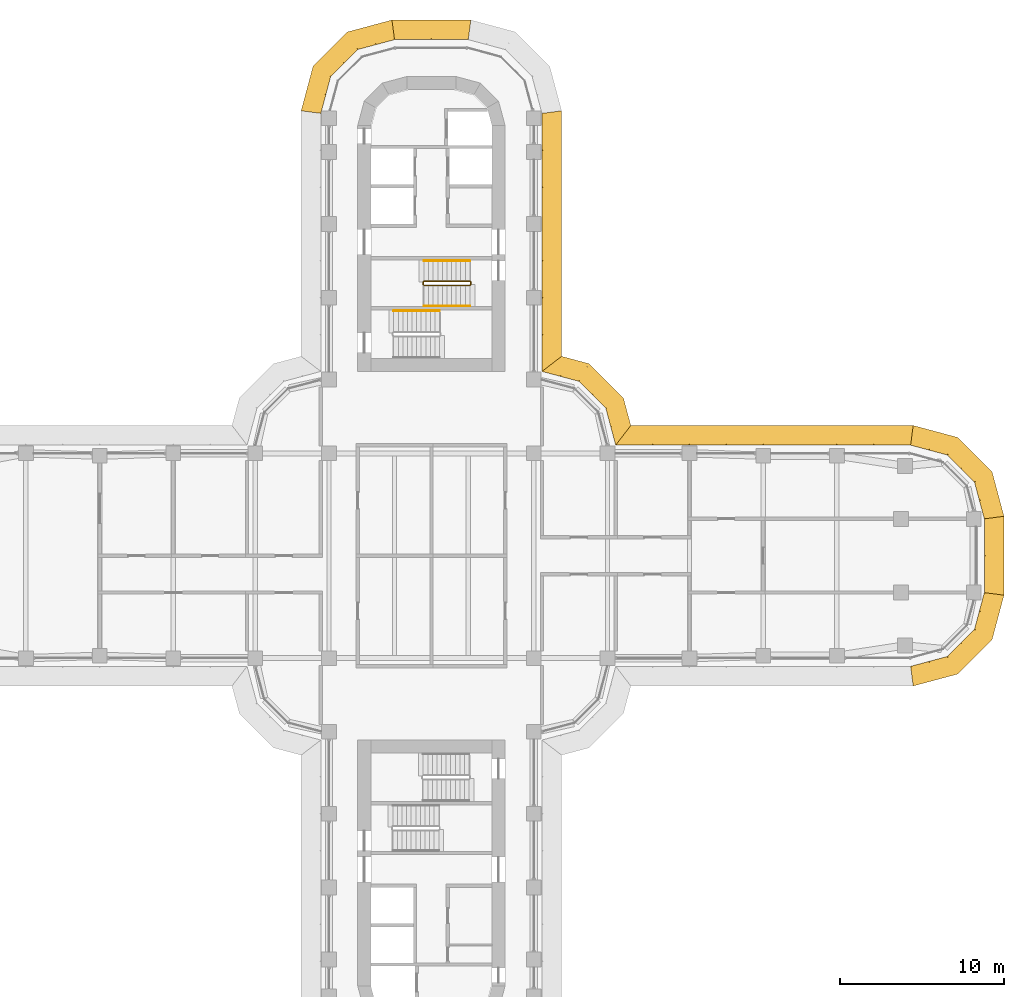
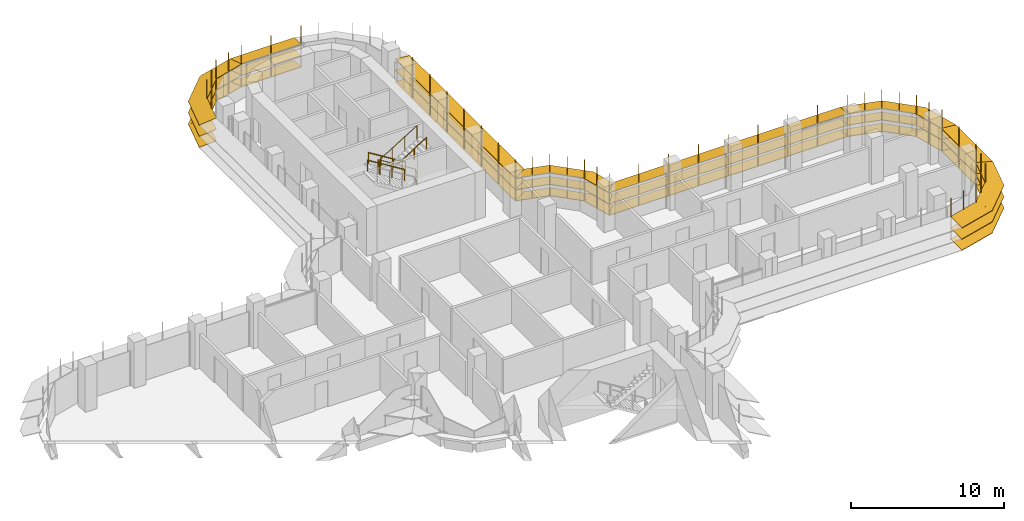
# One storey, part 21 of 22: 8 shading devices, 4 railings.
"""IFC4 building model written with IfcOpenShell, lengths in metres."""

from ifc_helpers import new_model, si_unit, direction, frame, origin, origin_2d, place, context, subcontext, project, spatial, polyline, circle, outline, extrude, faceted_brep, source, transform, mapped, material, type_object, element, save


model = new_model("IFC4")

# Units and contexts
model_context = context("Model", 3, precision=1e-05, world=origin(), true_north=direction((0.0, 1.0)))
body_context = subcontext(model_context, "Body", "Model", "MODEL_VIEW")
ifc_project = project(units=[si_unit("LENGTHUNIT", "METRE"), si_unit("AREAUNIT", "SQUARE_METRE"), si_unit("VOLUMEUNIT", "CUBIC_METRE"), si_unit("PLANEANGLEUNIT", "RADIAN"), si_unit("MASSUNIT", "GRAM", prefix="KILO")], contexts=[model_context])

# Site, building, storey
site_placement = place(None, origin())
site = spatial("IfcSite", under=ifc_project, at=site_placement, CompositionType="ELEMENT")
building_placement = place(site_placement, origin())
building = spatial("IfcBuilding", under=site, at=building_placement, Name="Zarbagh Exchange Tower", CompositionType="ELEMENT")
storey_placement = place(building_placement, frame((0.0, 0.0, 113.199951171875)))
storey = spatial("IfcBuildingStorey", under=building, at=storey_placement, Name="L26", CompositionType="ELEMENT", Elevation=113.199951171875)

# Railings
ifc_material_1 = material(Name="Stainless steel", Category="steel")
railing_type_1 = type_object("IfcRailingType", Name="Stair guard 1100 mm", PredefinedType="GUARDRAIL", material=ifc_material_1)
railing_1_placement = place(storey_placement, frame((-0.449951171875, 16.5, 2.07275390625)))
element("IfcRailing", 1, at=railing_1_placement, inside=storey, type_object=railing_type_1, Name="ST1 stair guard 1", PredefinedType="GUARDRAIL", context=body_context, shape_type="SweptSolid", body=[
    extrude(circle(Radius=0.02392578125, at=origin_2d()), frame((0.0, 0.0, 1.076171875), z_axis=(0.851089632645, 0.0, 0.525020415988), x_axis=(0.0, 1.0, 0.0)), (0.0, 0.0, 1.0), 3.2900390625),
    extrude(circle(Radius=0.02392578125, at=origin_2d()), frame((2.800048828125, 0.0, 2.80322265625), z_axis=(0.013104066473, 0.013168302093, -0.99982742474), x_axis=(-0.708833529934, 0.705375805398, 0.0)), (0.0, 0.0, 1.0), 3.80078125),
    extrude(circle(Radius=0.02392578125, at=origin_2d()), frame((2.849853515625, 0.050048828125, -0.99658203125), z_axis=(0.0, 1.0, 0.0), x_axis=(-1.0, 0.0, 0.0)), (0.0, 0.0, 1.0), 0.14990234375),
    extrude(circle(Radius=0.02392578125, at=origin_2d()), frame((2.849853515625, 0.199951171875, -0.99658203125), z_axis=(-0.266739603011, 0.268047150085, 0.925743328097), x_axis=(-0.708833529934, -0.705375805398, 0.0)), (0.0, 0.0, 1.0), 0.186767578125),
    extrude(circle(Radius=0.02392578125, at=origin_2d()), frame((2.800048828125, 0.25, -0.82373046875), z_axis=(-0.851089632645, 0.0, 0.525020415988), x_axis=(0.0, -1.0, 0.0)), (0.0, 0.0, 1.0), 3.2900390625),
    extrude(circle(Radius=0.02392578125, at=origin_2d()), frame((0.0, 0.25, 0.9033203125), z_axis=(-0.707106781187, -0.707106781187, 0.0), x_axis=(0.707106781187, -0.707106781187, 0.0)), (0.0, 0.0, 1.0), 0.07080078125),
    extrude(circle(Radius=0.02392578125, at=origin_2d()), frame((-0.050048828125, 0.199951171875, 0.9033203125), z_axis=(0.0, -1.0, 0.0), x_axis=(1.0, 0.0, 0.0)), (0.0, 0.0, 1.0), 0.14990234375),
    extrude(circle(Radius=0.02099609375, at=origin_2d()), origin(), (0.0, 0.0, 1.0), 1.052001953125),
    extrude(circle(Radius=0.02099609375, at=origin_2d()), frame((0.933349609375, 0.0, 0.57568359375)), (0.0, 0.0, 1.0), 1.052001953125),
    extrude(circle(Radius=0.02099609375, at=origin_2d()), frame((1.86669921875, 0.0, 1.151611328125)), (0.0, 0.0, 1.0), 1.052001953125),
    extrude(circle(Radius=0.02099609375, at=origin_2d()), frame((2.800048828125, 0.0, 1.727294921875)), (0.0, 0.0, 1.0), 1.052001953125),
    extrude(circle(Radius=0.02099609375, at=origin_2d()), frame((2.8125, 0.012451171875, 0.77734375)), (0.0, 0.0, 1.0), 1.052001953125),
    extrude(circle(Radius=0.02099609375, at=origin_2d()), frame((2.824951171875, 0.02490234375, -0.1728515625)), (0.0, 0.0, 1.0), 1.052001953125),
    extrude(circle(Radius=0.02099609375, at=origin_2d()), frame((2.83740234375, 0.03759765625, -1.122802734375)), (0.0, 0.0, 1.0), 1.052001953125),
    extrude(circle(Radius=0.02099609375, at=origin_2d()), frame((2.849853515625, 0.050048828125, -2.07275390625)), (0.0, 0.0, 1.0), 1.052001953125),
    extrude(circle(Radius=0.02099609375, at=origin_2d()), frame((2.849853515625, 0.199951171875, -2.07275390625)), (0.0, 0.0, 1.0), 1.052001953125),
    extrude(circle(Radius=0.02099609375, at=origin_2d()), frame((2.800048828125, 0.25, -1.89990234375)), (0.0, 0.0, 1.0), 1.052001953125),
    extrude(circle(Radius=0.02099609375, at=origin_2d()), frame((1.86669921875, 0.25, -1.32421875)), (0.0, 0.0, 1.0), 1.052001953125),
    extrude(circle(Radius=0.02099609375, at=origin_2d()), frame((0.933349609375, 0.25, -0.748291015625)), (0.0, 0.0, 1.0), 1.052001953125),
    extrude(circle(Radius=0.02099609375, at=origin_2d()), frame((0.0, 0.25, -0.172607421875)), (0.0, 0.0, 1.0), 1.052001953125),
    extrude(circle(Radius=0.02099609375, at=origin_2d()), frame((-0.050048828125, 0.199951171875, -0.172607421875)), (0.0, 0.0, 1.0), 1.052001953125),
    extrude(circle(Radius=0.02099609375, at=origin_2d()), frame((-0.050048828125, 0.050048828125, -0.172607421875)), (0.0, 0.0, 1.0), 1.052001953125),
])
railing_type_2 = type_object("IfcRailingType", Name="Stair handrail 900 mm", PredefinedType="HANDRAIL", material=ifc_material_1)
railing_2_placement = place(storey_placement, frame((2.35009765625, 18.0, 0.1728515625)))
element("IfcRailing", 2, at=railing_2_placement, inside=storey, type_object=railing_type_2, Name="ST1 stair handrail 1", PredefinedType="HANDRAIL", context=body_context, shape_type="SweptSolid", body=[
    extrude(circle(Radius=0.02392578125, at=origin_2d()), frame((0.0, 0.0, 0.8759765625), z_axis=(-0.851089632645, 0.0, 0.525020415988), x_axis=(0.0, -1.0, 0.0)), (0.0, 0.0, 1.0), 3.2900390625),
    extrude(circle(Radius=0.02099609375, at=origin_2d()), origin(), (0.0, 0.0, 1.0), 0.851806640625),
    extrude(circle(Radius=0.02099609375, at=origin_2d()), frame((-0.933349609375, 0.0, 0.57568359375)), (0.0, 0.0, 1.0), 0.851806640625),
    extrude(circle(Radius=0.02099609375, at=origin_2d()), frame((-1.86669921875, 0.0, 1.151611328125)), (0.0, 0.0, 1.0), 0.851806640625),
    extrude(circle(Radius=0.02099609375, at=origin_2d()), frame((-2.800048828125, 0.0, 1.727294921875)), (0.0, 0.0, 1.0), 0.851806640625),
])
railing_3_placement = place(storey_placement, frame((-0.449951171875, 15.25, 2.07275390625)))
element("IfcRailing", 3, at=railing_3_placement, inside=storey, type_object=railing_type_2, Name="ST1 stair handrail 2", PredefinedType="HANDRAIL", context=body_context, shape_type="SweptSolid", body=[
    extrude(circle(Radius=0.02392578125, at=origin_2d()), frame((0.0, 0.0, 0.8759765625), z_axis=(0.851089632645, 0.0, 0.525020415988), x_axis=(0.0, 1.0, 0.0)), (0.0, 0.0, 1.0), 3.2900390625),
    extrude(circle(Radius=0.02099609375, at=origin_2d()), origin(), (0.0, 0.0, 1.0), 0.851806640625),
    extrude(circle(Radius=0.02099609375, at=origin_2d()), frame((0.933349609375, 0.0, 0.57568359375)), (0.0, 0.0, 1.0), 0.851806640625),
    extrude(circle(Radius=0.02099609375, at=origin_2d()), frame((1.86669921875, 0.0, 1.151611328125)), (0.0, 0.0, 1.0), 0.851806640625),
    extrude(circle(Radius=0.02099609375, at=origin_2d()), frame((2.800048828125, 0.0, 1.727294921875)), (0.0, 0.0, 1.0), 0.851806640625),
])
railing_4_placement = place(storey_placement, frame((0.5, 14.949951171875, 2.07275390625)))
element("IfcRailing", 4, at=railing_4_placement, inside=storey, type_object=railing_type_2, Name="ST2 stair handrail 2", PredefinedType="HANDRAIL", context=body_context, shape_type="SweptSolid", body=[
    extrude(circle(Radius=0.02392578125, at=origin_2d()), frame((0.0, 0.0, 0.8759765625), z_axis=(-0.851089632645, 0.0, 0.525020415988), x_axis=(0.0, -1.0, 0.0)), (0.0, 0.0, 1.0), 3.2900390625),
    extrude(circle(Radius=0.02099609375, at=origin_2d()), origin(), (0.0, 0.0, 1.0), 0.851806640625),
    extrude(circle(Radius=0.02099609375, at=origin_2d()), frame((-0.933349609375, 0.0, 0.57568359375)), (0.0, 0.0, 1.0), 0.851806640625),
    extrude(circle(Radius=0.02099609375, at=origin_2d()), frame((-1.86669921875, 0.0, 1.151611328125)), (0.0, 0.0, 1.0), 0.851806640625),
    extrude(circle(Radius=0.02099609375, at=origin_2d()), frame((-2.800048828125, 0.0, 1.727294921875)), (0.0, 0.0, 1.0), 0.851806640625),
])

# Shading devices
ifc_material_2 = material(Name="Anodised aluminium blades and brackets", Category="aluminium")
shading_device_type = type_object("IfcShadingDeviceType", Name="SUNSHADE louvre band, 11.25 degree blades", PredefinedType="JALOUSIE", material=ifc_material_2)
shared_shape_1 = source(origin(), body_context, "Body", "Brep", [
    faceted_brep([(0.0, 0.0, 0.0), (0.0, 0.0, -0.040771484375), (-0.157958984375, -1.199951171875, -0.279541015625), (-0.157958984375, -1.199951171875, -0.23876953125), (2.65087890625, -1.199951171875, -0.23876953125), (2.65087890625, -1.199951171875, -0.279541015625), (2.329345703125, 0.0, -0.040771484375), (2.329345703125, 0.0, 0.0)], [[[0, 1, 2, 3]], [[4, 5, 6, 7]], [[0, 7, 6, 1]], [[1, 6, 5, 2]], [[2, 5, 4, 3]], [[3, 4, 7, 0]]]),
])
shared_shape_2 = source(origin(), body_context, "Body", "Brep", [
    faceted_brep([(0.0, 0.0, 0.0), (0.0, 0.0, -0.040771484375), (-0.321533203125, -1.199951171875, -0.279541015625), (-0.321533203125, -1.199951171875, -0.23876953125), (2.65087890625, -1.199951171875, -0.23876953125), (2.65087890625, -1.199951171875, -0.279541015625), (2.329345703125, 0.0, -0.040771484375), (2.329345703125, 0.0, 0.0)], [[[0, 1, 2, 3]], [[4, 5, 6, 7]], [[0, 7, 6, 1]], [[1, 6, 5, 2]], [[2, 5, 4, 3]], [[3, 4, 7, 0]]]),
])
shared_shape_3 = source(origin(), body_context, "Body", "Brep", [
    faceted_brep([(0.0, 0.0, 0.0), (0.0, 0.0, -0.040771484375), (-0.321533203125, -1.199951171875, -0.279541015625), (-0.321533203125, -1.199951171875, -0.23876953125), (2.4873046875, -1.199951171875, -0.23876953125), (2.4873046875, -1.199951171875, -0.279541015625), (2.329345703125, 0.0, -0.040771484375), (2.329345703125, 0.0, 0.0)], [[[0, 1, 2, 3]], [[4, 5, 6, 7]], [[0, 7, 6, 1]], [[1, 6, 5, 2]], [[2, 5, 4, 3]], [[3, 4, 7, 0]]]),
])
shared_shape_4 = source(origin(), body_context, "Body", "SweptSolid", [
    extrude(outline(polyline([(0.0, -0.012451171875), (0.06005859375, -0.012451171875), (0.06005859375, 0.012451171875), (0.0, 0.012451171875), (0.0, -0.012451171875)])), origin(), (0.0, 0.0, 1.0), 3.350830078125),
])
placement = place(storey_placement, origin())
element("IfcShadingDevice", 5, at=placement, inside=storey, type_object=shading_device_type, Name="SS05 sunshade band", PredefinedType="JALOUSIE", context=body_context, shape_type="MappedRepresentation", body=[
    mapped(shared_shape_1, transform((29.25, -6.75, 2.300048828125), x_axis=(0.965924289636, 0.258824779902, 0.0), y_axis=(-0.258824779902, 0.965924289636, 0.0), z_axis=(0.0, 0.0, 1.0))),
    mapped(shared_shape_1, transform((29.25, -6.75, 1.400146484375), x_axis=(0.965924289636, 0.258824779902, 0.0), y_axis=(-0.258824779902, 0.965924289636, 0.0), z_axis=(0.0, 0.0, 1.0))),
    mapped(shared_shape_1, transform((29.25, -6.75, 0.5), x_axis=(0.965924289636, 0.258824779902, 0.0), y_axis=(-0.258824779902, 0.965924289636, 0.0), z_axis=(0.0, 0.0, 1.0))),
    mapped(shared_shape_2, transform((31.5, -6.147216796875, 2.300048828125), x_axis=(0.707106781187, 0.707106781187, 0.0), y_axis=(-0.707106781187, 0.707106781187, 0.0), z_axis=(0.0, 0.0, 1.0))),
    mapped(shared_shape_2, transform((31.5, -6.147216796875, 1.400146484375), x_axis=(0.707106781187, 0.707106781187, 0.0), y_axis=(-0.707106781187, 0.707106781187, 0.0), z_axis=(0.0, 0.0, 1.0))),
    mapped(shared_shape_2, transform((31.5, -6.147216796875, 0.5), x_axis=(0.707106781187, 0.707106781187, 0.0), y_axis=(-0.707106781187, 0.707106781187, 0.0), z_axis=(0.0, 0.0, 1.0))),
    mapped(shared_shape_3, transform((33.147216796875, -4.5, 2.300048828125), x_axis=(0.258824779902, 0.965924289636, 0.0), y_axis=(-0.965924289636, 0.258824779902, 0.0), z_axis=(0.0, 0.0, 1.0))),
    mapped(shared_shape_3, transform((33.147216796875, -4.5, 1.400146484375), x_axis=(0.258824779902, 0.965924289636, 0.0), y_axis=(-0.965924289636, 0.258824779902, 0.0), z_axis=(0.0, 0.0, 1.0))),
    mapped(shared_shape_3, transform((33.147216796875, -4.5, 0.5), x_axis=(0.258824779902, 0.965924289636, 0.0), y_axis=(-0.965924289636, 0.258824779902, 0.0), z_axis=(0.0, 0.0, 1.0))),
    mapped(shared_shape_4, transform((29.25, -6.75, 0.42919921875), x_axis=(0.130529263012, -0.991444457092, 0.0), y_axis=(0.991444457092, 0.130529263012, 0.0), z_axis=(0.0, 0.0, 1.0))),
    mapped(shared_shape_4, transform((30.375, -6.448486328125, 0.42919921875), x_axis=(0.258825058029, -0.96592421511, 0.0), y_axis=(0.96592421511, 0.258825058029, 0.0), z_axis=(0.0, 0.0, 1.0))),
    mapped(shared_shape_4, transform((31.5, -6.147216796875, 0.42919921875), x_axis=(0.50000275701, -0.866023812018, 0.0), y_axis=(0.866023812018, 0.50000275701, 0.0), z_axis=(0.0, 0.0, 1.0))),
    mapped(shared_shape_4, transform((32.323486328125, -5.323486328125, 0.42919921875), x_axis=(0.707106781187, -0.707106781187, 0.0), y_axis=(0.707106781187, 0.707106781187, 0.0), z_axis=(0.0, 0.0, 1.0))),
    mapped(shared_shape_4, transform((33.147216796875, -4.5, 0.42919921875), x_axis=(0.866023812018, -0.50000275701, 0.0), y_axis=(0.50000275701, 0.866023812018, 0.0), z_axis=(0.0, 0.0, 1.0))),
    mapped(shared_shape_4, transform((33.448486328125, -3.375, 0.42919921875), x_axis=(0.96592421511, -0.258825058029, 0.0), y_axis=(0.258825058029, 0.96592421511, 0.0), z_axis=(0.0, 0.0, 1.0))),
])
element("IfcShadingDevice", 6, at=placement, inside=storey, type_object=shading_device_type, Name="SS07 sunshade band", PredefinedType="JALOUSIE", context=body_context, shape_type="MappedRepresentation", body=[
    mapped(shared_shape_1, transform((33.75, 2.25, 2.300048828125), x_axis=(-0.258824779902, 0.965924289636, 0.0), y_axis=(-0.965924289636, -0.258824779902, 0.0), z_axis=(0.0, 0.0, 1.0))),
    mapped(shared_shape_1, transform((33.75, 2.25, 1.400146484375), x_axis=(-0.258824779902, 0.965924289636, 0.0), y_axis=(-0.965924289636, -0.258824779902, 0.0), z_axis=(0.0, 0.0, 1.0))),
    mapped(shared_shape_1, transform((33.75, 2.25, 0.5), x_axis=(-0.258824779902, 0.965924289636, 0.0), y_axis=(-0.965924289636, -0.258824779902, 0.0), z_axis=(0.0, 0.0, 1.0))),
    mapped(shared_shape_2, transform((33.147216796875, 4.5, 2.300048828125), x_axis=(-0.707106781187, 0.707106781187, 0.0), y_axis=(-0.707106781187, -0.707106781187, 0.0), z_axis=(0.0, 0.0, 1.0))),
    mapped(shared_shape_2, transform((33.147216796875, 4.5, 1.400146484375), x_axis=(-0.707106781187, 0.707106781187, 0.0), y_axis=(-0.707106781187, -0.707106781187, 0.0), z_axis=(0.0, 0.0, 1.0))),
    mapped(shared_shape_2, transform((33.147216796875, 4.5, 0.5), x_axis=(-0.707106781187, 0.707106781187, 0.0), y_axis=(-0.707106781187, -0.707106781187, 0.0), z_axis=(0.0, 0.0, 1.0))),
    mapped(shared_shape_3, transform((31.5, 6.147216796875, 2.300048828125), x_axis=(-0.965924289636, 0.258824779902, 0.0), y_axis=(-0.258824779902, -0.965924289636, 0.0), z_axis=(0.0, 0.0, 1.0))),
    mapped(shared_shape_3, transform((31.5, 6.147216796875, 1.400146484375), x_axis=(-0.965924289636, 0.258824779902, 0.0), y_axis=(-0.258824779902, -0.965924289636, 0.0), z_axis=(0.0, 0.0, 1.0))),
    mapped(shared_shape_3, transform((31.5, 6.147216796875, 0.5), x_axis=(-0.965924289636, 0.258824779902, 0.0), y_axis=(-0.258824779902, -0.965924289636, 0.0), z_axis=(0.0, 0.0, 1.0))),
    mapped(shared_shape_4, transform((33.75, 2.25, 0.42919921875), x_axis=(0.991444457092, 0.130529263012, 0.0), y_axis=(-0.130529263012, 0.991444457092, 0.0), z_axis=(0.0, 0.0, 1.0))),
    mapped(shared_shape_4, transform((33.448486328125, 3.375, 0.42919921875), x_axis=(0.96592421511, 0.258825058029, 0.0), y_axis=(-0.258825058029, 0.96592421511, 0.0), z_axis=(0.0, 0.0, 1.0))),
    mapped(shared_shape_4, transform((33.147216796875, 4.5, 0.42919921875), x_axis=(0.866023812018, 0.50000275701, 0.0), y_axis=(-0.50000275701, 0.866023812018, 0.0), z_axis=(0.0, 0.0, 1.0))),
    mapped(shared_shape_4, transform((32.323486328125, 5.323486328125, 0.42919921875), x_axis=(0.707106781187, 0.707106781187, 0.0), y_axis=(-0.707106781187, 0.707106781187, 0.0), z_axis=(0.0, 0.0, 1.0))),
    mapped(shared_shape_4, transform((31.5, 6.147216796875, 0.42919921875), x_axis=(0.50000275701, 0.866023812018, 0.0), y_axis=(-0.866023812018, 0.50000275701, 0.0), z_axis=(0.0, 0.0, 1.0))),
    mapped(shared_shape_4, transform((30.375, 6.448486328125, 0.42919921875), x_axis=(0.258825058029, 0.96592421511, 0.0), y_axis=(-0.96592421511, 0.258825058029, 0.0), z_axis=(0.0, 0.0, 1.0))),
])
element("IfcShadingDevice", 7, at=placement, inside=storey, type_object=shading_device_type, Name="SS28 sunshade band", PredefinedType="JALOUSIE", context=body_context, shape_type="MappedRepresentation", body=[
    mapped(shared_shape_1, transform((-2.25, 31.5, 2.300048828125), x_axis=(-0.965924289636, -0.258824779902, 0.0), y_axis=(0.258824779902, -0.965924289636, 0.0), z_axis=(0.0, 0.0, 1.0))),
    mapped(shared_shape_1, transform((-2.25, 31.5, 1.400146484375), x_axis=(-0.965924289636, -0.258824779902, 0.0), y_axis=(0.258824779902, -0.965924289636, 0.0), z_axis=(0.0, 0.0, 1.0))),
    mapped(shared_shape_1, transform((-2.25, 31.5, 0.5), x_axis=(-0.965924289636, -0.258824779902, 0.0), y_axis=(0.258824779902, -0.965924289636, 0.0), z_axis=(0.0, 0.0, 1.0))),
    mapped(shared_shape_2, transform((-4.5, 30.897216796875, 2.300048828125), x_axis=(-0.707106781187, -0.707106781187, 0.0), y_axis=(0.707106781187, -0.707106781187, 0.0), z_axis=(0.0, 0.0, 1.0))),
    mapped(shared_shape_2, transform((-4.5, 30.897216796875, 1.400146484375), x_axis=(-0.707106781187, -0.707106781187, 0.0), y_axis=(0.707106781187, -0.707106781187, 0.0), z_axis=(0.0, 0.0, 1.0))),
    mapped(shared_shape_2, transform((-4.5, 30.897216796875, 0.5), x_axis=(-0.707106781187, -0.707106781187, 0.0), y_axis=(0.707106781187, -0.707106781187, 0.0), z_axis=(0.0, 0.0, 1.0))),
    mapped(shared_shape_3, transform((-6.147216796875, 29.25, 2.300048828125), x_axis=(-0.258824779902, -0.965924289636, 0.0), y_axis=(0.965924289636, -0.258824779902, 0.0), z_axis=(0.0, 0.0, 1.0))),
    mapped(shared_shape_3, transform((-6.147216796875, 29.25, 1.400146484375), x_axis=(-0.258824779902, -0.965924289636, 0.0), y_axis=(0.965924289636, -0.258824779902, 0.0), z_axis=(0.0, 0.0, 1.0))),
    mapped(shared_shape_3, transform((-6.147216796875, 29.25, 0.5), x_axis=(-0.258824779902, -0.965924289636, 0.0), y_axis=(0.965924289636, -0.258824779902, 0.0), z_axis=(0.0, 0.0, 1.0))),
    mapped(shared_shape_4, transform((-2.25, 31.5, 0.42919921875), x_axis=(-0.130529263012, 0.991444457092, 0.0), y_axis=(-0.991444457092, -0.130529263012, 0.0), z_axis=(0.0, 0.0, 1.0))),
    mapped(shared_shape_4, transform((-3.375, 31.198486328125, 0.42919921875), x_axis=(-0.258825058029, 0.96592421511, 0.0), y_axis=(-0.96592421511, -0.258825058029, 0.0), z_axis=(0.0, 0.0, 1.0))),
    mapped(shared_shape_4, transform((-4.5, 30.897216796875, 0.42919921875), x_axis=(-0.50000275701, 0.866023812018, 0.0), y_axis=(-0.866023812018, -0.50000275701, 0.0), z_axis=(0.0, 0.0, 1.0))),
    mapped(shared_shape_4, transform((-5.323486328125, 30.073486328125, 0.42919921875), x_axis=(-0.707106781187, 0.707106781187, 0.0), y_axis=(-0.707106781187, -0.707106781187, 0.0), z_axis=(0.0, 0.0, 1.0))),
    mapped(shared_shape_4, transform((-6.147216796875, 29.25, 0.42919921875), x_axis=(-0.866023812018, 0.50000275701, 0.0), y_axis=(-0.50000275701, -0.866023812018, 0.0), z_axis=(0.0, 0.0, 1.0))),
    mapped(shared_shape_4, transform((-6.448486328125, 28.125, 0.42919921875), x_axis=(-0.96592421511, 0.258825058029, 0.0), y_axis=(-0.258825058029, -0.96592421511, 0.0), z_axis=(0.0, 0.0, 1.0))),
])
shared_shape_5 = source(origin(), body_context, "Body", "Brep", [
    faceted_brep([(0.0, 0.0, 0.0), (0.0, 0.0, -0.040771484375), (0.9208984375, -1.199951171875, -0.279541015625), (0.9208984375, -1.199951171875, -0.23876953125), (2.65087890625, -1.199951171875, -0.23876953125), (2.65087890625, -1.199951171875, -0.279541015625), (2.329345703125, 0.0, -0.040771484375), (2.329345703125, 0.0, 0.0)], [[[0, 1, 2, 3]], [[4, 5, 6, 7]], [[0, 7, 6, 1]], [[1, 6, 5, 2]], [[2, 5, 4, 3]], [[3, 4, 7, 0]]]),
])
shared_shape_6 = source(origin(), body_context, "Body", "Brep", [
    faceted_brep([(0.0, 0.0, 0.0), (0.0, 0.0, -0.040771484375), (-0.321533203125, -1.199951171875, -0.279541015625), (-0.321533203125, -1.199951171875, -0.23876953125), (1.40869140625, -1.199951171875, -0.23876953125), (1.40869140625, -1.199951171875, -0.279541015625), (2.329345703125, 0.0, -0.040771484375), (2.329345703125, 0.0, 0.0)], [[[0, 1, 2, 3]], [[4, 5, 6, 7]], [[0, 7, 6, 1]], [[1, 6, 5, 2]], [[2, 5, 4, 3]], [[3, 4, 7, 0]]]),
])
element("IfcShadingDevice", 8, at=placement, inside=storey, type_object=shading_device_type, Name="SS09 sunshade band", PredefinedType="JALOUSIE", context=body_context, shape_type="MappedRepresentation", body=[
    mapped(shared_shape_5, transform((11.25, 6.75, 2.300048828125), x_axis=(-0.258824779902, 0.965924289636, 0.0), y_axis=(-0.965924289636, -0.258824779902, 0.0), z_axis=(0.0, 0.0, 1.0))),
    mapped(shared_shape_5, transform((11.25, 6.75, 1.400146484375), x_axis=(-0.258824779902, 0.965924289636, 0.0), y_axis=(-0.965924289636, -0.258824779902, 0.0), z_axis=(0.0, 0.0, 1.0))),
    mapped(shared_shape_5, transform((11.25, 6.75, 0.5), x_axis=(-0.258824779902, 0.965924289636, 0.0), y_axis=(-0.965924289636, -0.258824779902, 0.0), z_axis=(0.0, 0.0, 1.0))),
    mapped(shared_shape_2, transform((10.647216796875, 9.0, 2.300048828125), x_axis=(-0.707106781187, 0.707106781187, 0.0), y_axis=(-0.707106781187, -0.707106781187, 0.0), z_axis=(0.0, 0.0, 1.0))),
    mapped(shared_shape_2, transform((10.647216796875, 9.0, 1.400146484375), x_axis=(-0.707106781187, 0.707106781187, 0.0), y_axis=(-0.707106781187, -0.707106781187, 0.0), z_axis=(0.0, 0.0, 1.0))),
    mapped(shared_shape_2, transform((10.647216796875, 9.0, 0.5), x_axis=(-0.707106781187, 0.707106781187, 0.0), y_axis=(-0.707106781187, -0.707106781187, 0.0), z_axis=(0.0, 0.0, 1.0))),
    mapped(shared_shape_6, transform((9.0, 10.647216796875, 2.300048828125), x_axis=(-0.965924289636, 0.258824779902, 0.0), y_axis=(-0.258824779902, -0.965924289636, 0.0), z_axis=(0.0, 0.0, 1.0))),
    mapped(shared_shape_6, transform((9.0, 10.647216796875, 1.400146484375), x_axis=(-0.965924289636, 0.258824779902, 0.0), y_axis=(-0.258824779902, -0.965924289636, 0.0), z_axis=(0.0, 0.0, 1.0))),
    mapped(shared_shape_6, transform((9.0, 10.647216796875, 0.5), x_axis=(-0.965924289636, 0.258824779902, 0.0), y_axis=(-0.258824779902, -0.965924289636, 0.0), z_axis=(0.0, 0.0, 1.0))),
    mapped(shared_shape_4, transform((11.25, 6.75, 0.42919921875), x_axis=(0.608758892, 0.793355287, 0.0), y_axis=(-0.793355287, 0.608758892, 0.0), z_axis=(0.0, 0.0, 1.0))),
    mapped(shared_shape_4, transform((10.948486328125, 7.875, 0.42919921875), x_axis=(0.96592421511, 0.258825058029, 0.0), y_axis=(-0.258825058029, 0.96592421511, 0.0), z_axis=(0.0, 0.0, 1.0))),
    mapped(shared_shape_4, transform((10.647216796875, 9.0, 0.42919921875), x_axis=(0.866023812018, 0.50000275701, 0.0), y_axis=(-0.50000275701, 0.866023812018, 0.0), z_axis=(0.0, 0.0, 1.0))),
    mapped(shared_shape_4, transform((9.823486328125, 9.823486328125, 0.42919921875), x_axis=(0.707106781187, 0.707106781187, 0.0), y_axis=(-0.707106781187, 0.707106781187, 0.0), z_axis=(0.0, 0.0, 1.0))),
    mapped(shared_shape_4, transform((9.0, 10.647216796875, 0.42919921875), x_axis=(0.50000275701, 0.866023812018, 0.0), y_axis=(-0.866023812018, 0.50000275701, 0.0), z_axis=(0.0, 0.0, 1.0))),
    mapped(shared_shape_4, transform((7.875, 10.948486328125, 0.42919921875), x_axis=(0.258825058029, 0.96592421511, 0.0), y_axis=(-0.96592421511, 0.258825058029, 0.0), z_axis=(0.0, 0.0, 1.0))),
])
shared_shape_7 = source(origin(), body_context, "Body", "Brep", [
    faceted_brep([(0.0, 0.0, 0.0), (0.0, 0.0, -0.040771484375), (-0.157958984375, -1.199951171875, -0.279541015625), (-0.157958984375, -1.199951171875, -0.23876953125), (4.657958984375, -1.199951171875, -0.23876953125), (4.657958984375, -1.199951171875, -0.279541015625), (4.5, 0.0, -0.040771484375), (4.5, 0.0, 0.0)], [[[0, 1, 2, 3]], [[4, 5, 6, 7]], [[0, 7, 6, 1]], [[1, 6, 5, 2]], [[2, 5, 4, 3]], [[3, 4, 7, 0]]]),
])
element("IfcShadingDevice", 9, at=placement, inside=storey, type_object=shading_device_type, Name="SS06 sunshade band", PredefinedType="JALOUSIE", context=body_context, shape_type="MappedRepresentation", body=[
    mapped(shared_shape_7, transform((33.75, -2.25, 2.300048828125), x_axis=(0.0, 1.0, 0.0), y_axis=(-1.0, 0.0, 0.0), z_axis=(0.0, 0.0, 1.0))),
    mapped(shared_shape_7, transform((33.75, -2.25, 1.400146484375), x_axis=(0.0, 1.0, 0.0), y_axis=(-1.0, 0.0, 0.0), z_axis=(0.0, 0.0, 1.0))),
    mapped(shared_shape_7, transform((33.75, -2.25, 0.5), x_axis=(0.0, 1.0, 0.0), y_axis=(-1.0, 0.0, 0.0), z_axis=(0.0, 0.0, 1.0))),
    mapped(shared_shape_4, transform((33.75, -2.25, 0.42919921875), x_axis=(0.991444457092, -0.130529263012, 0.0), y_axis=(0.130529263012, 0.991444457092, 0.0), z_axis=(0.0, 0.0, 1.0))),
    mapped(shared_shape_4, transform((33.75, 0.0, 0.42919921875), x_axis=(1.0, 0.0, 0.0), y_axis=(0.0, 1.0, 0.0), z_axis=(0.0, 0.0, 1.0))),
])
shared_shape_8 = source(origin(), body_context, "Body", "Brep", [
    faceted_brep([(0.0, 0.0, 0.0), (0.0, 0.0, -0.040771484375), (-0.157958984375, -1.199951171875, -0.279541015625), (-0.157958984375, -1.199951171875, -0.23876953125), (17.0791015625, -1.199951171875, -0.23876953125), (17.0791015625, -1.199951171875, -0.279541015625), (18.0, 0.0, -0.040771484375), (18.0, 0.0, 0.0)], [[[0, 1, 2, 3]], [[4, 5, 6, 7]], [[0, 7, 6, 1]], [[1, 6, 5, 2]], [[2, 5, 4, 3]], [[3, 4, 7, 0]]]),
])
element("IfcShadingDevice", 10, at=placement, inside=storey, type_object=shading_device_type, Name="SS08 sunshade band", PredefinedType="JALOUSIE", context=body_context, shape_type="MappedRepresentation", body=[
    mapped(shared_shape_8, transform((29.25, 6.75, 2.300048828125), x_axis=(-1.0, 0.0, 0.0), y_axis=(0.0, -1.0, 0.0), z_axis=(0.0, 0.0, 1.0))),
    mapped(shared_shape_8, transform((29.25, 6.75, 1.400146484375), x_axis=(-1.0, 0.0, 0.0), y_axis=(0.0, -1.0, 0.0), z_axis=(0.0, 0.0, 1.0))),
    mapped(shared_shape_8, transform((29.25, 6.75, 0.5), x_axis=(-1.0, 0.0, 0.0), y_axis=(0.0, -1.0, 0.0), z_axis=(0.0, 0.0, 1.0))),
    mapped(shared_shape_4, transform((29.25, 6.75, 0.42919921875), x_axis=(0.130529263012, 0.991444457092, 0.0), y_axis=(-0.991444457092, 0.130529263012, 0.0), z_axis=(0.0, 0.0, 1.0))),
    mapped(shared_shape_4, transform((27.0, 6.75, 0.42919921875), x_axis=(0.0, 1.0, 0.0), y_axis=(-1.0, 0.0, 0.0), z_axis=(0.0, 0.0, 1.0))),
    mapped(shared_shape_4, transform((24.75, 6.75, 0.42919921875), x_axis=(0.0, 1.0, 0.0), y_axis=(-1.0, 0.0, 0.0), z_axis=(0.0, 0.0, 1.0))),
    mapped(shared_shape_4, transform((22.5, 6.75, 0.42919921875), x_axis=(0.0, 1.0, 0.0), y_axis=(-1.0, 0.0, 0.0), z_axis=(0.0, 0.0, 1.0))),
    mapped(shared_shape_4, transform((20.25, 6.75, 0.42919921875), x_axis=(0.0, 1.0, 0.0), y_axis=(-1.0, 0.0, 0.0), z_axis=(0.0, 0.0, 1.0))),
    mapped(shared_shape_4, transform((18.0, 6.75, 0.42919921875), x_axis=(0.0, 1.0, 0.0), y_axis=(-1.0, 0.0, 0.0), z_axis=(0.0, 0.0, 1.0))),
    mapped(shared_shape_4, transform((15.75, 6.75, 0.42919921875), x_axis=(0.0, 1.0, 0.0), y_axis=(-1.0, 0.0, 0.0), z_axis=(0.0, 0.0, 1.0))),
    mapped(shared_shape_4, transform((13.5, 6.75, 0.42919921875), x_axis=(0.0, 1.0, 0.0), y_axis=(-1.0, 0.0, 0.0), z_axis=(0.0, 0.0, 1.0))),
])
shared_shape_9 = source(origin(), body_context, "Body", "Brep", [
    faceted_brep([(0.0, 0.0, 0.0), (0.0, 0.0, -0.040771484375), (0.9208984375, -1.199951171875, -0.279541015625), (0.9208984375, -1.199951171875, -0.23876953125), (15.907958984375, -1.199951171875, -0.23876953125), (15.907958984375, -1.199951171875, -0.279541015625), (15.75, 0.0, -0.040771484375), (15.75, 0.0, 0.0)], [[[0, 1, 2, 3]], [[4, 5, 6, 7]], [[0, 7, 6, 1]], [[1, 6, 5, 2]], [[2, 5, 4, 3]], [[3, 4, 7, 0]]]),
])
element("IfcShadingDevice", 11, at=placement, inside=storey, type_object=shading_device_type, Name="SS25 sunshade band", PredefinedType="JALOUSIE", context=body_context, shape_type="MappedRepresentation", body=[
    mapped(shared_shape_9, transform((6.75, 11.25, 2.300048828125), x_axis=(0.0, 1.0, 0.0), y_axis=(-1.0, 0.0, 0.0), z_axis=(0.0, 0.0, 1.0))),
    mapped(shared_shape_9, transform((6.75, 11.25, 1.400146484375), x_axis=(0.0, 1.0, 0.0), y_axis=(-1.0, 0.0, 0.0), z_axis=(0.0, 0.0, 1.0))),
    mapped(shared_shape_9, transform((6.75, 11.25, 0.5), x_axis=(0.0, 1.0, 0.0), y_axis=(-1.0, 0.0, 0.0), z_axis=(0.0, 0.0, 1.0))),
    mapped(shared_shape_4, transform((6.75, 11.25, 0.42919921875), x_axis=(0.793355287, 0.608758892, 0.0), y_axis=(-0.608758892, 0.793355287, 0.0), z_axis=(0.0, 0.0, 1.0))),
    mapped(shared_shape_4, transform((6.75, 13.5, 0.42919921875), x_axis=(1.0, 0.0, 0.0), y_axis=(0.0, 1.0, 0.0), z_axis=(0.0, 0.0, 1.0))),
    mapped(shared_shape_4, transform((6.75, 15.75, 0.42919921875), x_axis=(1.0, 0.0, 0.0), y_axis=(0.0, 1.0, 0.0), z_axis=(0.0, 0.0, 1.0))),
    mapped(shared_shape_4, transform((6.75, 18.0, 0.42919921875), x_axis=(1.0, 0.0, 0.0), y_axis=(0.0, 1.0, 0.0), z_axis=(0.0, 0.0, 1.0))),
    mapped(shared_shape_4, transform((6.75, 20.25, 0.42919921875), x_axis=(1.0, 0.0, 0.0), y_axis=(0.0, 1.0, 0.0), z_axis=(0.0, 0.0, 1.0))),
    mapped(shared_shape_4, transform((6.75, 22.5, 0.42919921875), x_axis=(1.0, 0.0, 0.0), y_axis=(0.0, 1.0, 0.0), z_axis=(0.0, 0.0, 1.0))),
    mapped(shared_shape_4, transform((6.75, 24.75, 0.42919921875), x_axis=(1.0, 0.0, 0.0), y_axis=(0.0, 1.0, 0.0), z_axis=(0.0, 0.0, 1.0))),
])
element("IfcShadingDevice", 12, at=placement, inside=storey, type_object=shading_device_type, Name="SS27 sunshade band", PredefinedType="JALOUSIE", context=body_context, shape_type="MappedRepresentation", body=[
    mapped(shared_shape_7, transform((2.25, 31.5, 2.300048828125), x_axis=(-1.0, 0.0, 0.0), y_axis=(0.0, -1.0, 0.0), z_axis=(0.0, 0.0, 1.0))),
    mapped(shared_shape_7, transform((2.25, 31.5, 1.400146484375), x_axis=(-1.0, 0.0, 0.0), y_axis=(0.0, -1.0, 0.0), z_axis=(0.0, 0.0, 1.0))),
    mapped(shared_shape_7, transform((2.25, 31.5, 0.5), x_axis=(-1.0, 0.0, 0.0), y_axis=(0.0, -1.0, 0.0), z_axis=(0.0, 0.0, 1.0))),
    mapped(shared_shape_4, transform((2.25, 31.5, 0.42919921875), x_axis=(0.130529263012, 0.991444457092, 0.0), y_axis=(-0.991444457092, 0.130529263012, 0.0), z_axis=(0.0, 0.0, 1.0))),
    mapped(shared_shape_4, transform((0.0, 31.5, 0.42919921875), x_axis=(0.0, 1.0, 0.0), y_axis=(-1.0, 0.0, 0.0), z_axis=(0.0, 0.0, 1.0))),
])

save(model, "model.ifc")
